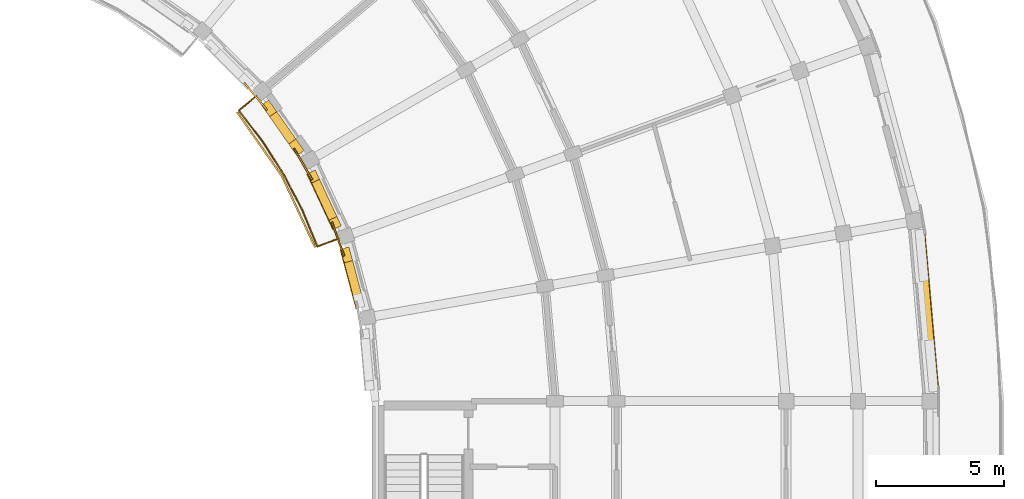
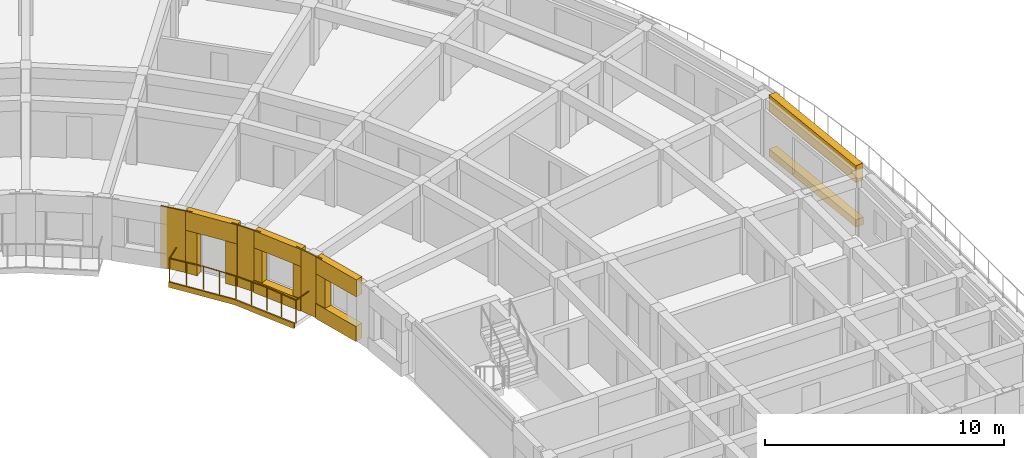
# One storey, part 39 of 41: 16 coverings, 1 railing.
"""IFC4 building model written with IfcOpenShell, lengths in metres."""

from ifc_helpers import new_model, si_unit, direction, frame, origin, origin_2d, place, context, subcontext, project, spatial, polyline, circle, outline, extrude, material, layer, layer_set, type_object, element, save


model = new_model("IFC4")

# Units and contexts
model_context = context("Model", 3, precision=1e-05, world=origin(), true_north=direction((0.0, 1.0)))
body_context = subcontext(model_context, "Body", "Model", "MODEL_VIEW")
ifc_project = project(units=[si_unit("LENGTHUNIT", "METRE"), si_unit("AREAUNIT", "SQUARE_METRE"), si_unit("VOLUMEUNIT", "CUBIC_METRE"), si_unit("PLANEANGLEUNIT", "RADIAN"), si_unit("MASSUNIT", "GRAM", prefix="KILO")], contexts=[model_context])

# Site, building, storey
site_placement = place(None, origin())
site = spatial("IfcSite", under=ifc_project, at=site_placement, CompositionType="ELEMENT")
building_placement = place(site_placement, origin())
building = spatial("IfcBuilding", under=site, at=building_placement, Name="Kiranvali Square Residences", CompositionType="ELEMENT")
storey_placement = place(building_placement, frame((0.0, 0.0, 33.89990234375)))
storey = spatial("IfcBuildingStorey", under=building, at=storey_placement, Name="L10", CompositionType="ELEMENT", Elevation=33.89990234375)

# Coverings
ifc_material_1 = material(Name="Carved Porbandar limestone classical entablature and cornice", Category="masonry")
ifc_layer_1 = layer(ifc_material_1, 0.06201171875)
ifc_layer_set_1 = layer_set([ifc_layer_1], Name="Carved Porbandar limestone classical entablature and cornice")
covering_type_1 = type_object("IfcCoveringType", Name="COV-CLAD-GBAL", PredefinedType="CLADDING", material=ifc_layer_set_1)
covering_1_placement = place(storey_placement, frame((0.0, 0.0, -0.219970703125)))
element("IfcCovering", 1, at=covering_1_placement, inside=storey, type_object=covering_type_1, Name="Block B L10 garden balcony limestone fascia 2", PredefinedType="CLADDING", context=body_context, shape_type="SweptSolid", body=[
    extrude(outline(polyline([(133.1904296875, 99.035888671875), (134.938232421875, 96.5400390625), (136.225830078125, 93.778564453125), (136.289794921875, 93.8017578125), (134.9970703125, 96.573974609375), (133.242431640625, 99.07958984375), (133.1904296875, 99.035888671875)])), origin(), (0.0, 0.0, 1.0), 0.27001953125),
])
ifc_material_2 = material(Name="Honed Porbandar limestone ashlar facade cladding", Category="masonry")
ifc_layer_2 = layer(ifc_material_2, 0.3798828125)
ifc_layer_set_2 = layer_set([ifc_layer_2], Name="Honed Porbandar limestone ashlar facade cladding")
covering_type_2 = type_object("IfcCoveringType", Name="COV-CLAD-JAMB", PredefinedType="CLADDING", material=ifc_layer_set_2)
covering_2_placement = place(storey_placement, origin())
element("IfcCovering", 2, at=covering_2_placement, inside=storey, type_object=covering_type_2, Name="L10 deep limestone window jamb reveal B-L10-GDN-05.L", PredefinedType="CLADDING", context=body_context, shape_type="SweptSolid", body=[
    extrude(outline(polyline([(134.175537109375, 99.328857421875), (134.490234375, 98.879638671875), (134.768310546875, 99.074462890625), (134.45361328125, 99.523681640625), (134.175537109375, 99.328857421875)])), origin(), (0.0, 0.0, 1.0), 2.18017578125),
])
covering_3_placement = place(storey_placement, origin())
element("IfcCovering", 3, at=covering_3_placement, inside=storey, type_object=covering_type_2, Name="L10 deep limestone window jamb reveal B-L10-GDN-05.R", PredefinedType="CLADDING", context=body_context, shape_type="SweptSolid", body=[
    extrude(outline(polyline([(135.23583984375, 97.814697265625), (135.55029296875, 97.365478515625), (135.828369140625, 97.56005859375), (135.513916015625, 98.009521484375), (135.23583984375, 97.814697265625)])), origin(), (0.0, 0.0, 1.0), 2.18017578125),
])
covering_4_placement = place(storey_placement, frame((0.0, 0.0, 0.6220703125)))
element("IfcCovering", 4, at=covering_4_placement, inside=storey, type_object=covering_type_2, Name="L10 deep limestone window jamb reveal B-L10-GDN-06.L", PredefinedType="CLADDING", context=body_context, shape_type="SweptSolid", body=[
    extrude(outline(polyline([(135.958984375, 96.657470703125), (136.12744140625, 96.29638671875), (136.435302734375, 96.43994140625), (136.266845703125, 96.801025390625), (135.958984375, 96.657470703125)])), origin(), (0.0, 0.0, 1.0), 1.650146484375),
])
covering_5_placement = place(storey_placement, frame((0.0, 0.0, 0.6220703125)))
element("IfcCovering", 5, at=covering_5_placement, inside=storey, type_object=covering_type_2, Name="L10 deep limestone window jamb reveal B-L10-GDN-06.R", PredefinedType="CLADDING", context=body_context, shape_type="SweptSolid", body=[
    extrude(outline(polyline([(136.8037109375, 94.84619140625), (136.97216796875, 94.485107421875), (137.27978515625, 94.62841796875), (137.111328125, 94.98974609375), (136.8037109375, 94.84619140625)])), origin(), (0.0, 0.0, 1.0), 1.650146484375),
])
covering_6_placement = place(storey_placement, frame((0.0, 0.0, 0.772216796875)))
element("IfcCovering", 6, at=covering_6_placement, inside=storey, type_object=covering_type_2, Name="L10 deep limestone window jamb reveal B-L10-GDN-07.L", PredefinedType="CLADDING", context=body_context, shape_type="SweptSolid", body=[
    extrude(outline(polyline([(137.251708984375, 93.717041015625), (137.3935546875, 93.187255859375), (137.7216796875, 93.27490234375), (137.57958984375, 93.804931640625), (137.251708984375, 93.717041015625)])), origin(), (0.0, 0.0, 1.0), 1.5),
])
ifc_layer_3 = layer(ifc_material_2, 0.050048828125)
ifc_layer_set_3 = layer_set([ifc_layer_3], Name="Honed Porbandar limestone ashlar facade cladding")
covering_type_3 = type_object("IfcCoveringType", Name="COV-CLAD-PIER-IN", PredefinedType="CLADDING", material=ifc_layer_set_3)
covering_7_placement = place(storey_placement, frame((0.0, 0.0, 0.005126953125)))
element("IfcCovering", 7, at=covering_7_placement, inside=storey, type_object=covering_type_3, Name="L10 Classical garden courtyard pilaster CLAD-PRIN-B-L10-A05", PredefinedType="CLADDING", context=body_context, shape_type="SweptSolid", body=[
    extrude(outline(polyline([(133.4697265625, 100.18408203125), (134.36962890625, 99.111572265625), (134.42138671875, 99.155029296875), (133.521484375, 100.2275390625), (133.4697265625, 100.18408203125)])), origin(), (0.0, 0.0, 1.0), 3.139892578125),
])
covering_8_placement = place(storey_placement, frame((0.0, 0.0, 0.005126953125)))
element("IfcCovering", 8, at=covering_8_placement, inside=storey, type_object=covering_type_3, Name="L10 Classical garden courtyard pilaster CLAD-PRIN-B-L10-A06", PredefinedType="CLADDING", context=body_context, shape_type="SweptSolid", body=[
    extrude(outline(polyline([(135.41259765625, 97.622314453125), (136.112548828125, 96.40966796875), (136.171142578125, 96.443603515625), (135.470947265625, 97.656005859375), (135.41259765625, 97.622314453125)])), origin(), (0.0, 0.0, 1.0), 3.139892578125),
])
covering_9_placement = place(storey_placement, frame((0.0, 0.0, 0.005126953125)))
element("IfcCovering", 9, at=covering_9_placement, inside=storey, type_object=covering_type_3, Name="L10 Classical garden courtyard pilaster CLAD-PRIN-B-L10-A07", PredefinedType="CLADDING", context=body_context, shape_type="SweptSolid", body=[
    extrude(outline(polyline([(136.881103515625, 94.761962890625), (137.35986328125, 93.4462890625), (137.42333984375, 93.469482421875), (136.9443359375, 94.784912109375), (136.881103515625, 94.761962890625)])), origin(), (0.0, 0.0, 1.0), 3.139892578125),
])
ifc_layer_4 = layer(ifc_material_2, 0.360107421875)
ifc_layer_set_4 = layer_set([ifc_layer_4], Name="Honed Porbandar limestone ashlar facade cladding")
covering_type_4 = type_object("IfcCoveringType", Name="COV-CLAD-WALL", PredefinedType="CLADDING", material=ifc_layer_set_4)
covering_10_placement = place(storey_placement, frame((0.0, 0.0, 2.280029296875)))
element("IfcCovering", 10, at=covering_10_placement, inside=storey, type_object=covering_type_4, Name="L10 light limestone spandrel lintel B-L10-CRV-08", PredefinedType="CLADDING", context=body_context, shape_type="SweptSolid", body=[
    extrude(outline(polyline([(159.6171875, 94.466796875), (160.169921875, 88.148681640625), (160.528076171875, 88.179931640625), (159.975341796875, 94.498046875), (159.6171875, 94.466796875)])), origin(), (0.0, 0.0, 1.0), 0.864990234375),
])
covering_11_placement = place(storey_placement, frame((0.0, 0.0, 2.18017578125)))
element("IfcCovering", 11, at=covering_11_placement, inside=storey, type_object=covering_type_4, Name="L10 light limestone spandrel lintel B-L10-GDN-05", PredefinedType="CLADDING", context=body_context, shape_type="SweptSolid", body=[
    extrude(outline(polyline([(134.175537109375, 99.328857421875), (135.55029296875, 97.365478515625), (135.828369140625, 97.56005859375), (134.45361328125, 99.523681640625), (134.175537109375, 99.328857421875)])), origin(), (0.0, 0.0, 1.0), 0.96484375),
])
covering_12_placement = place(storey_placement, frame((0.0, 0.0, 2.272216796875)))
element("IfcCovering", 12, at=covering_12_placement, inside=storey, type_object=covering_type_4, Name="L10 light limestone spandrel lintel B-L10-GDN-06", PredefinedType="CLADDING", context=body_context, shape_type="SweptSolid", body=[
    extrude(outline(polyline([(135.958984375, 96.657470703125), (136.97216796875, 94.485107421875), (137.27978515625, 94.62841796875), (136.266845703125, 96.801025390625), (135.958984375, 96.657470703125)])), origin(), (0.0, 0.0, 1.0), 0.872802734375),
])
covering_13_placement = place(storey_placement, frame((0.0, 0.0, 2.272216796875)))
element("IfcCovering", 13, at=covering_13_placement, inside=storey, type_object=covering_type_4, Name="L10 light limestone spandrel lintel B-L10-GDN-07", PredefinedType="CLADDING", context=body_context, shape_type="SweptSolid", body=[
    extrude(outline(polyline([(137.251708984375, 93.717041015625), (137.8720703125, 91.401611328125), (138.199951171875, 91.489501953125), (137.57958984375, 93.804931640625), (137.251708984375, 93.717041015625)])), origin(), (0.0, 0.0, 1.0), 0.872802734375),
])
ifc_layer_5 = layer(ifc_material_2, 0.320068359375)
ifc_layer_set_5 = layer_set([ifc_layer_5], Name="Honed Porbandar limestone ashlar facade cladding")
covering_type_5 = type_object("IfcCoveringType", Name="COV-CLAD-WALL-UP", PredefinedType="CLADDING", material=ifc_layer_set_5)
covering_14_placement = place(storey_placement, frame((0.0, 0.0, 0.005126953125)))
element("IfcCovering", 14, at=covering_14_placement, inside=storey, type_object=covering_type_5, Name="L10 limestone window sill apron B-L10-CRV-08", PredefinedType="CLADDING", context=body_context, shape_type="SweptSolid", body=[
    extrude(outline(polyline([(159.6171875, 94.466796875), (160.169921875, 88.148681640625), (160.55810546875, 88.1826171875), (160.00537109375, 94.500732421875), (159.6171875, 94.466796875)])), origin(), (0.0, 0.0, 1.0), 0.375),
])
covering_15_placement = place(storey_placement, frame((0.0, 0.0, 0.005126953125)))
element("IfcCovering", 15, at=covering_15_placement, inside=storey, type_object=covering_type_5, Name="L10 limestone window sill apron B-L10-GDN-06", PredefinedType="CLADDING", context=body_context, shape_type="SweptSolid", body=[
    extrude(outline(polyline([(135.931884765625, 96.644775390625), (136.94482421875, 94.472412109375), (137.27978515625, 94.62841796875), (136.266845703125, 96.801025390625), (135.931884765625, 96.644775390625)])), origin(), (0.0, 0.0, 1.0), 0.616943359375),
])
covering_16_placement = place(storey_placement, frame((0.0, 0.0, 0.005126953125)))
element("IfcCovering", 16, at=covering_16_placement, inside=storey, type_object=covering_type_5, Name="L10 limestone window sill apron B-L10-GDN-07", PredefinedType="CLADDING", context=body_context, shape_type="SweptSolid", body=[
    extrude(outline(polyline([(137.22265625, 93.709228515625), (137.843017578125, 91.393798828125), (138.199951171875, 91.489501953125), (137.57958984375, 93.804931640625), (137.22265625, 93.709228515625)])), origin(), (0.0, 0.0, 1.0), 0.76708984375),
])

# Railing
ifc_material_3 = material(Name="Powder-coated architectural bronze balustrade", Category="steel")
railing_type = type_object("IfcRailingType", Name="RL-BAL-GOLD-1200", PredefinedType="BALUSTRADE", material=ifc_material_3)
railing_placement = place(storey_placement, frame((134.1708984375, 99.858642578125, 0.0)))
element("IfcRailing", 17, at=railing_placement, inside=storey, type_object=railing_type, Name="Block B L10 garden balcony gold balustrade 2", PredefinedType="BALUSTRADE", context=body_context, shape_type="SweptSolid", body=[
    extrude(circle(Radius=0.02392578125, at=origin_2d()), frame((0.0, 0.0, 1.17578125), z_axis=(-0.765989188314, -0.642853454051, 0.0), x_axis=(0.642853454051, -0.765989188314, 0.0)), (0.0, 0.0, 1.0), 1.14990234375),
    extrude(circle(Radius=0.02392578125, at=origin_2d()), frame((-0.880859375, -0.7392578125, 1.17578125), z_axis=(0.608811807471, -0.793314680996, 0.0), x_axis=(0.793314680996, 0.608811807471, 0.0)), (0.0, 0.0, 1.0), 1.536376953125),
    extrude(circle(Radius=0.02392578125, at=origin_2d()), frame((0.054443359375, -1.9580078125, 1.17578125), z_axis=(0.537307309343, -0.843386539688, 0.0), x_axis=(0.843386539688, 0.537307309343, 0.0)), (0.0, 0.0, 1.0), 1.5361328125),
    extrude(circle(Radius=0.02392578125, at=origin_2d()), frame((0.8798828125, -3.253662109375, 1.17578125), z_axis=(0.461713009976, -0.887029366154, 0.0), x_axis=(0.887029366154, 0.461713009976, 0.0)), (0.0, 0.0, 1.0), 1.5361328125),
    extrude(circle(Radius=0.02392578125, at=origin_2d()), frame((1.589111328125, -4.6162109375, 1.17578125), z_axis=(0.382651197843, -0.923892883829, 0.0), x_axis=(0.923892883829, 0.382651197843, 0.0)), (0.0, 0.0, 1.0), 1.536376953125),
    extrude(circle(Radius=0.02392578125, at=origin_2d()), frame((2.177001953125, -6.03564453125, 1.17578125), z_axis=(0.939712828289, 0.341964618562, 0.0), x_axis=(-0.341964618562, 0.939712828289, 0.0)), (0.0, 0.0, 1.0), 1.150146484375),
    extrude(circle(Radius=0.02099609375, at=origin_2d()), origin(), (0.0, 0.0, 1.0), 1.15185546875),
    extrude(circle(Radius=0.02099609375, at=origin_2d()), frame((-0.880859375, -0.7392578125, 0.0)), (0.0, 0.0, 1.0), 1.15185546875),
    extrude(circle(Radius=0.02099609375, at=origin_2d()), frame((-0.4130859375, -1.3486328125, 0.0)), (0.0, 0.0, 1.0), 1.15185546875),
    extrude(circle(Radius=0.02099609375, at=origin_2d()), frame((0.054443359375, -1.9580078125, 0.0)), (0.0, 0.0, 1.0), 1.15185546875),
    extrude(circle(Radius=0.02099609375, at=origin_2d()), frame((0.46728515625, -2.60595703125, 0.0)), (0.0, 0.0, 1.0), 1.15185546875),
    extrude(circle(Radius=0.02099609375, at=origin_2d()), frame((0.8798828125, -3.253662109375, 0.0)), (0.0, 0.0, 1.0), 1.15185546875),
    extrude(circle(Radius=0.02099609375, at=origin_2d()), frame((1.234375, -3.93505859375, 0.0)), (0.0, 0.0, 1.0), 1.15185546875),
    extrude(circle(Radius=0.02099609375, at=origin_2d()), frame((1.589111328125, -4.6162109375, 0.0)), (0.0, 0.0, 1.0), 1.15185546875),
    extrude(circle(Radius=0.02099609375, at=origin_2d()), frame((1.883056640625, -5.325927734375, 0.0)), (0.0, 0.0, 1.0), 1.15185546875),
    extrude(circle(Radius=0.02099609375, at=origin_2d()), frame((2.177001953125, -6.03564453125, 0.0)), (0.0, 0.0, 1.0), 1.15185546875),
    extrude(circle(Radius=0.02099609375, at=origin_2d()), frame((3.2578125, -5.642333984375, 0.0)), (0.0, 0.0, 1.0), 1.15185546875),
])

save(model, "model.ifc")
